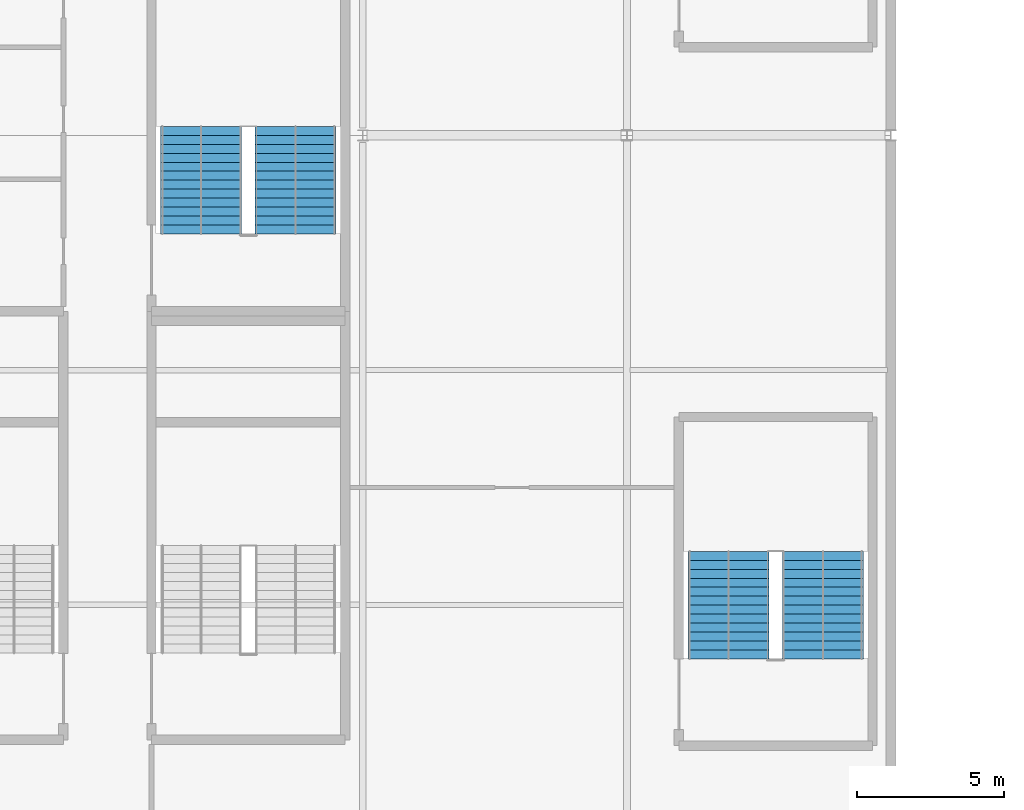
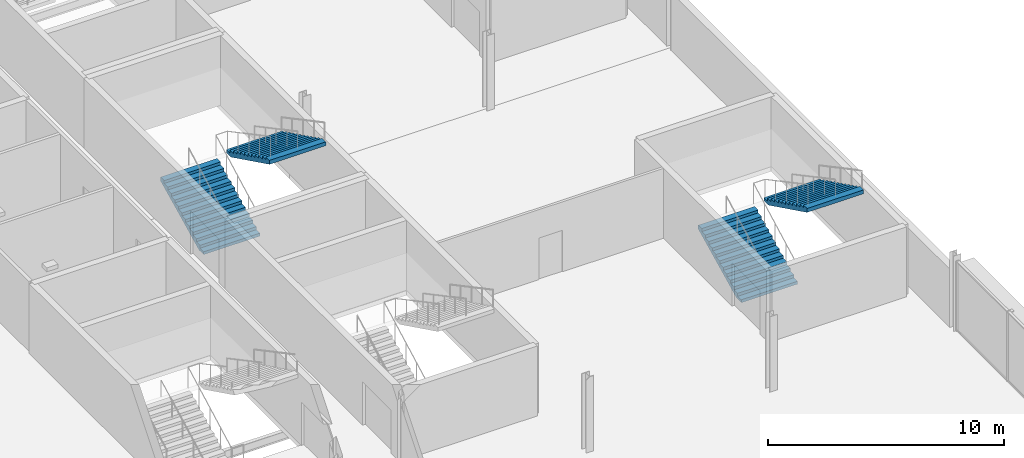
# One storey, part 83 of 98: 4 stair flights, 2 elements without a shape of their own.
"""IFC4 building model written with IfcOpenShell, lengths in metres."""

from ifc_helpers import new_model, si_unit, direction, frame, origin, place, context, subcontext, project, spatial, polygons, material, type_object, element, aggregate, save


model = new_model("IFC4")

# Units and contexts
model_context = context("Model", 3, precision=1e-05, world=origin(), true_north=direction((0.0, 1.0)))
body_context = subcontext(model_context, "Body", "Model", "MODEL_VIEW")
ifc_project = project(units=[si_unit("LENGTHUNIT", "METRE"), si_unit("AREAUNIT", "SQUARE_METRE"), si_unit("VOLUMEUNIT", "CUBIC_METRE"), si_unit("PLANEANGLEUNIT", "RADIAN"), si_unit("MASSUNIT", "GRAM", prefix="KILO")], contexts=[model_context])

# Site, building, storey
site_placement = place(None, origin())
site = spatial("IfcSite", under=ifc_project, at=site_placement, CompositionType="ELEMENT")
building_placement = place(site_placement, origin())
building = spatial("IfcBuilding", under=site, at=building_placement, Name="Kisiwana Market Hall", CompositionType="ELEMENT")
storey_placement = place(building_placement, frame((0.0, 0.0, 29.39990234375)))
storey = spatial("IfcBuildingStorey", under=building, at=storey_placement, Name="L06", CompositionType="ELEMENT", Elevation=29.39990234375)

# Stair, stair flights
ifc_material_1 = material(Name="Concrete C32/40", Category="concrete")
stair_type = type_object("IfcStairType", Name="ST-ESC-3900", PredefinedType="TWO_STRAIGHT_RUN_STAIR", material=ifc_material_1)
stair_1_placement = place(storey_placement, origin())
stair_1 = element("IfcStair", 1, at=stair_1_placement, inside=storey, type_object=stair_type, Name="Escape stair ST-W9-L06", PredefinedType="TWO_STRAIGHT_RUN_STAIR")
ifc_material_2 = material(Name="Concrete C32/40", Category="concrete")
stair_flight_type = type_object("IfcStairFlightType", Name="SF-ESC-3900", PredefinedType="STRAIGHT", material=ifc_material_2)
stair_flight_1_placement = place(storey_placement, frame((39.4599609375, 42.159912109375, 0.0), z_axis=(0.0, 0.0, 1.0), x_axis=(0.0, 1.0, 0.0)))
stair_flight_1 = element("IfcStairFlight", 2, at=stair_flight_1_placement, type_object=stair_flight_type, Name="ST-W9-L06 flight 1", NumberOfRisers=13, NumberOfTreads=12, PredefinedType="STRAIGHT", RiserHeight=0.15, TreadLength=0.305, context=body_context, shape_type="Tessellation", body=[
    polygons([(0.0, -1.380127, 0.0), (0.0, -0.690125, 0.0), (0.0, -0.000122, 0.0), (0.0, 0.68988, 0.0), (0.0, 1.379883, 0.0), (0.0, -1.380127, 0.149902), (0.0, -0.690125, 0.149902), (0.0, -0.000122, 0.149902), (0.0, 0.68988, 0.149902), (0.0, 1.379883, 0.149902), (0.304932, -1.380127, 0.149902), (0.304932, -0.690125, 0.149902), (0.304932, -0.000122, 0.149902), (0.304932, 0.68988, 0.149902), (0.304932, 1.379883, 0.149902), (0.304932, -1.380127, 0.300049), (0.304932, -0.690125, 0.300049), (0.304932, -0.000122, 0.300049), (0.304932, 0.68988, 0.300049), (0.304932, 1.379883, 0.300049), (0.610107, -1.380127, 0.300049), (0.610107, -0.690125, 0.300049), (0.610107, -0.000122, 0.300049), (0.610107, 0.68988, 0.300049), (0.610107, 1.379883, 0.300049), (0.610107, -1.380127, 0.449951), (0.610107, -0.690125, 0.449951), (0.610107, -0.000122, 0.449951), (0.610107, 0.68988, 0.449951), (0.610107, 1.379883, 0.449951), (0.915039, -1.380127, 0.449951), (0.915039, -0.690125, 0.449951), (0.915039, -0.000122, 0.449951), (0.915039, 0.68988, 0.449951), (0.915039, 1.379883, 0.449951), (0.915039, -1.380127, 0.600098), (0.915039, -0.690125, 0.600098), (0.915039, -0.000122, 0.600098), (0.915039, 0.68988, 0.600098), (0.915039, 1.379883, 0.600098), (1.219971, -1.380127, 0.600098), (1.219971, -0.690125, 0.600098), (1.219971, -0.000122, 0.600098), (1.219971, 0.68988, 0.600098), (1.219971, 1.379883, 0.600098), (1.219971, -1.380127, 0.75), (1.219971, -0.690125, 0.75), (1.219971, -0.000122, 0.75), (1.219971, 0.68988, 0.75), (1.219971, 1.379883, 0.75), (1.524902, -1.380127, 0.75), (1.524902, -0.690125, 0.75), (1.524902, -0.000122, 0.75), (1.524902, 0.68988, 0.75), (1.524902, 1.379883, 0.75), (1.524902, -1.380127, 0.899902), (1.524902, -0.690125, 0.899902), (1.524902, -0.000122, 0.899902), (1.524902, 0.68988, 0.899902), (1.524902, 1.379883, 0.899902), (1.830078, -1.380127, 0.899902), (1.830078, -0.690125, 0.899902), (1.830078, -0.000122, 0.899902), (1.830078, 0.68988, 0.899902), (1.830078, 1.379883, 0.899902), (1.830078, -1.380127, 1.050049), (1.830078, -0.690125, 1.050049), (1.830078, -0.000122, 1.050049), (1.830078, 0.68988, 1.050049), (1.830078, 1.379883, 1.050049), (2.13501, -1.380127, 1.050049), (2.13501, -0.690125, 1.050049), (2.13501, -0.000122, 1.050049), (2.13501, 0.68988, 1.050049), (2.13501, 1.379883, 1.050049), (2.13501, -1.380127, 1.199951), (2.13501, -0.690125, 1.199951), (2.13501, -0.000122, 1.199951), (2.13501, 0.68988, 1.199951), (2.13501, 1.379883, 1.199951), (2.439941, -1.380127, 1.199951), (2.439941, -0.690125, 1.199951), (2.439941, -0.000122, 1.199951), (2.439941, 0.68988, 1.199951), (2.439941, 1.379883, 1.199951), (2.439941, -1.380127, 1.350098), (2.439941, -0.690125, 1.350098), (2.439941, -0.000122, 1.350098), (2.439941, 0.68988, 1.350098), (2.439941, 1.379883, 1.350098), (2.745117, -1.380127, 1.350098), (2.745117, -0.690125, 1.350098), (2.745117, -0.000122, 1.350098), (2.745117, 0.68988, 1.350098), (2.745117, 1.379883, 1.350098), (2.745117, -1.380127, 1.5), (2.745117, -0.690125, 1.5), (2.745117, -0.000122, 1.5), (2.745117, 0.68988, 1.5), (2.745117, 1.379883, 1.5), (3.050049, -1.380127, 1.5), (3.050049, -0.690125, 1.5), (3.050049, -0.000122, 1.5), (3.050049, 0.68988, 1.5), (3.050049, 1.379883, 1.5), (3.050049, -1.380127, 1.649902), (3.050049, -0.690125, 1.649902), (3.050049, -0.000122, 1.649902), (3.050049, 0.68988, 1.649902), (3.050049, 1.379883, 1.649902), (3.35498, -1.380127, 1.649902), (3.35498, -0.690125, 1.649902), (3.35498, -0.000122, 1.649902), (3.35498, 0.68988, 1.649902), (3.35498, 1.379883, 1.649902), (3.35498, -1.380127, 1.800049), (3.35498, -0.690125, 1.800049), (3.35498, -0.000122, 1.800049), (3.35498, 0.68988, 1.800049), (3.35498, 1.379883, 1.800049), (3.659912, -1.380127, 1.800049), (3.659912, -0.690125, 1.800049), (3.659912, -0.000122, 1.800049), (3.659912, 0.68988, 1.800049), (3.659912, 1.379883, 1.800049), (3.659912, -1.380127, 1.599365), (3.659912, -0.690125, 1.599365), (3.659912, -0.000122, 1.599365), (3.659912, 0.68988, 1.599365), (3.659912, 1.379883, 1.599365), (0.407715, -1.380127, 0.0), (0.407715, -0.690125, 0.0), (0.407715, -0.000122, 0.0), (0.407715, 0.68988, 0.0), (0.407715, 1.379883, 0.0)], [[[1, 6, 7, 2]], [[2, 7, 8, 3]], [[3, 8, 9, 4]], [[4, 9, 10, 5]], [[6, 11, 12, 7]], [[7, 12, 13, 8]], [[8, 13, 14, 9]], [[9, 14, 15, 10]], [[11, 16, 17, 12]], [[12, 17, 18, 13]], [[13, 18, 19, 14]], [[14, 19, 20, 15]], [[16, 21, 22, 17]], [[17, 22, 23, 18]], [[18, 23, 24, 19]], [[19, 24, 25, 20]], [[21, 26, 27, 22]], [[22, 27, 28, 23]], [[23, 28, 29, 24]], [[24, 29, 30, 25]], [[26, 31, 32, 27]], [[27, 32, 33, 28]], [[28, 33, 34, 29]], [[29, 34, 35, 30]], [[31, 36, 37, 32]], [[32, 37, 38, 33]], [[33, 38, 39, 34]], [[34, 39, 40, 35]], [[36, 41, 42, 37]], [[37, 42, 43, 38]], [[38, 43, 44, 39]], [[39, 44, 45, 40]], [[41, 46, 47, 42]], [[42, 47, 48, 43]], [[43, 48, 49, 44]], [[44, 49, 50, 45]], [[46, 51, 52, 47]], [[47, 52, 53, 48]], [[48, 53, 54, 49]], [[49, 54, 55, 50]], [[51, 56, 57, 52]], [[52, 57, 58, 53]], [[53, 58, 59, 54]], [[54, 59, 60, 55]], [[56, 61, 62, 57]], [[57, 62, 63, 58]], [[58, 63, 64, 59]], [[59, 64, 65, 60]], [[61, 66, 67, 62]], [[62, 67, 68, 63]], [[63, 68, 69, 64]], [[64, 69, 70, 65]], [[66, 71, 72, 67]], [[67, 72, 73, 68]], [[68, 73, 74, 69]], [[69, 74, 75, 70]], [[71, 76, 77, 72]], [[72, 77, 78, 73]], [[73, 78, 79, 74]], [[74, 79, 80, 75]], [[76, 81, 82, 77]], [[77, 82, 83, 78]], [[78, 83, 84, 79]], [[79, 84, 85, 80]], [[81, 86, 87, 82]], [[82, 87, 88, 83]], [[83, 88, 89, 84]], [[84, 89, 90, 85]], [[86, 91, 92, 87]], [[87, 92, 93, 88]], [[88, 93, 94, 89]], [[89, 94, 95, 90]], [[91, 96, 97, 92]], [[92, 97, 98, 93]], [[93, 98, 99, 94]], [[94, 99, 100, 95]], [[96, 101, 102, 97]], [[97, 102, 103, 98]], [[98, 103, 104, 99]], [[99, 104, 105, 100]], [[101, 106, 107, 102]], [[102, 107, 108, 103]], [[103, 108, 109, 104]], [[104, 109, 110, 105]], [[106, 111, 112, 107]], [[107, 112, 113, 108]], [[108, 113, 114, 109]], [[109, 114, 115, 110]], [[111, 116, 117, 112]], [[112, 117, 118, 113]], [[113, 118, 119, 114]], [[114, 119, 120, 115]], [[116, 121, 122, 117]], [[117, 122, 123, 118]], [[118, 123, 124, 119]], [[119, 124, 125, 120]], [[121, 126, 127, 122]], [[122, 127, 128, 123]], [[123, 128, 129, 124]], [[124, 129, 130, 125]], [[126, 131, 132, 127]], [[127, 132, 133, 128]], [[128, 133, 134, 129]], [[129, 134, 135, 130]], [[131, 1, 2, 132]], [[132, 2, 3, 133]], [[133, 3, 4, 134]], [[134, 4, 5, 135]], [[131, 126, 121, 116, 111, 106, 101, 96, 91, 86, 81, 76, 71, 66, 61, 56, 51, 46, 41, 36, 31, 26, 21, 16, 11, 6, 1]], [[5, 10, 15, 20, 25, 30, 35, 40, 45, 50, 55, 60, 65, 70, 75, 80, 85, 90, 95, 100, 105, 110, 115, 120, 125, 130, 135]]], closed=True),
])
stair_flight_2_placement = place(storey_placement, frame((42.679931640625, 45.820068359375, 1.9501953125), z_axis=(0.0, 0.0, 1.0), x_axis=(0.0, -1.0, 0.0)))
stair_flight_2 = element("IfcStairFlight", 3, at=stair_flight_2_placement, type_object=stair_flight_type, Name="ST-W9-L06 flight 2", NumberOfRisers=13, NumberOfTreads=12, PredefinedType="STRAIGHT", RiserHeight=0.15, TreadLength=0.305, context=body_context, shape_type="Tessellation", body=[
    polygons([(0.0, -1.380127, 0.0), (0.0, -0.690125, 0.0), (0.0, -0.000122, 0.0), (0.0, 0.68988, 0.0), (0.0, 1.379883, 0.0), (0.0, -1.380127, 0.149902), (0.0, -0.690125, 0.149902), (0.0, -0.000122, 0.149902), (0.0, 0.68988, 0.149902), (0.0, 1.379883, 0.149902), (0.304932, -1.380127, 0.149902), (0.304932, -0.690125, 0.149902), (0.304932, -0.000122, 0.149902), (0.304932, 0.68988, 0.149902), (0.304932, 1.379883, 0.149902), (0.304932, -1.380127, 0.300049), (0.304932, -0.690125, 0.300049), (0.304932, -0.000122, 0.300049), (0.304932, 0.68988, 0.300049), (0.304932, 1.379883, 0.300049), (0.610107, -1.380127, 0.300049), (0.610107, -0.690125, 0.300049), (0.610107, -0.000122, 0.300049), (0.610107, 0.68988, 0.300049), (0.610107, 1.379883, 0.300049), (0.610107, -1.380127, 0.449951), (0.610107, -0.690125, 0.449951), (0.610107, -0.000122, 0.449951), (0.610107, 0.68988, 0.449951), (0.610107, 1.379883, 0.449951), (0.915039, -1.380127, 0.449951), (0.915039, -0.690125, 0.449951), (0.915039, -0.000122, 0.449951), (0.915039, 0.68988, 0.449951), (0.915039, 1.379883, 0.449951), (0.915039, -1.380127, 0.600098), (0.915039, -0.690125, 0.600098), (0.915039, -0.000122, 0.600098), (0.915039, 0.68988, 0.600098), (0.915039, 1.379883, 0.600098), (1.219971, -1.380127, 0.600098), (1.219971, -0.690125, 0.600098), (1.219971, -0.000122, 0.600098), (1.219971, 0.68988, 0.600098), (1.219971, 1.379883, 0.600098), (1.219971, -1.380127, 0.75), (1.219971, -0.690125, 0.75), (1.219971, -0.000122, 0.75), (1.219971, 0.68988, 0.75), (1.219971, 1.379883, 0.75), (1.524902, -1.380127, 0.75), (1.524902, -0.690125, 0.75), (1.524902, -0.000122, 0.75), (1.524902, 0.68988, 0.75), (1.524902, 1.379883, 0.75), (1.524902, -1.380127, 0.899902), (1.524902, -0.690125, 0.899902), (1.524902, -0.000122, 0.899902), (1.524902, 0.68988, 0.899902), (1.524902, 1.379883, 0.899902), (1.830078, -1.380127, 0.899902), (1.830078, -0.690125, 0.899902), (1.830078, -0.000122, 0.899902), (1.830078, 0.68988, 0.899902), (1.830078, 1.379883, 0.899902), (1.830078, -1.380127, 1.050049), (1.830078, -0.690125, 1.050049), (1.830078, -0.000122, 1.050049), (1.830078, 0.68988, 1.050049), (1.830078, 1.379883, 1.050049), (2.13501, -1.380127, 1.050049), (2.13501, -0.690125, 1.050049), (2.13501, -0.000122, 1.050049), (2.13501, 0.68988, 1.050049), (2.13501, 1.379883, 1.050049), (2.13501, -1.380127, 1.199951), (2.13501, -0.690125, 1.199951), (2.13501, -0.000122, 1.199951), (2.13501, 0.68988, 1.199951), (2.13501, 1.379883, 1.199951), (2.439941, -1.380127, 1.199951), (2.439941, -0.690125, 1.199951), (2.439941, -0.000122, 1.199951), (2.439941, 0.68988, 1.199951), (2.439941, 1.379883, 1.199951), (2.439941, -1.380127, 1.350098), (2.439941, -0.690125, 1.350098), (2.439941, -0.000122, 1.350098), (2.439941, 0.68988, 1.350098), (2.439941, 1.379883, 1.350098), (2.745117, -1.380127, 1.350098), (2.745117, -0.690125, 1.350098), (2.745117, -0.000122, 1.350098), (2.745117, 0.68988, 1.350098), (2.745117, 1.379883, 1.350098), (2.745117, -1.380127, 1.5), (2.745117, -0.690125, 1.5), (2.745117, -0.000122, 1.5), (2.745117, 0.68988, 1.5), (2.745117, 1.379883, 1.5), (3.050049, -1.380127, 1.5), (3.050049, -0.690125, 1.5), (3.050049, -0.000122, 1.5), (3.050049, 0.68988, 1.5), (3.050049, 1.379883, 1.5), (3.050049, -1.380127, 1.649902), (3.050049, -0.690125, 1.649902), (3.050049, -0.000122, 1.649902), (3.050049, 0.68988, 1.649902), (3.050049, 1.379883, 1.649902), (3.35498, -1.380127, 1.649902), (3.35498, -0.690125, 1.649902), (3.35498, -0.000122, 1.649902), (3.35498, 0.68988, 1.649902), (3.35498, 1.379883, 1.649902), (3.35498, -1.380127, 1.800049), (3.35498, -0.690125, 1.800049), (3.35498, -0.000122, 1.800049), (3.35498, 0.68988, 1.800049), (3.35498, 1.379883, 1.800049), (3.659912, -1.380127, 1.800049), (3.659912, -0.690125, 1.800049), (3.659912, -0.000122, 1.800049), (3.659912, 0.68988, 1.800049), (3.659912, 1.379883, 1.800049), (3.659912, -1.380127, 1.599365), (3.659912, -0.690125, 1.599365), (3.659912, -0.000122, 1.599365), (3.659912, 0.68988, 1.599365), (3.659912, 1.379883, 1.599365), (0.407715, -1.380127, 0.0), (0.407715, -0.690125, 0.0), (0.407715, -0.000122, 0.0), (0.407715, 0.68988, 0.0), (0.407715, 1.379883, 0.0)], [[[1, 6, 7, 2]], [[2, 7, 8, 3]], [[3, 8, 9, 4]], [[4, 9, 10, 5]], [[6, 11, 12, 7]], [[7, 12, 13, 8]], [[8, 13, 14, 9]], [[9, 14, 15, 10]], [[11, 16, 17, 12]], [[12, 17, 18, 13]], [[13, 18, 19, 14]], [[14, 19, 20, 15]], [[16, 21, 22, 17]], [[17, 22, 23, 18]], [[18, 23, 24, 19]], [[19, 24, 25, 20]], [[21, 26, 27, 22]], [[22, 27, 28, 23]], [[23, 28, 29, 24]], [[24, 29, 30, 25]], [[26, 31, 32, 27]], [[27, 32, 33, 28]], [[28, 33, 34, 29]], [[29, 34, 35, 30]], [[31, 36, 37, 32]], [[32, 37, 38, 33]], [[33, 38, 39, 34]], [[34, 39, 40, 35]], [[36, 41, 42, 37]], [[37, 42, 43, 38]], [[38, 43, 44, 39]], [[39, 44, 45, 40]], [[41, 46, 47, 42]], [[42, 47, 48, 43]], [[43, 48, 49, 44]], [[44, 49, 50, 45]], [[46, 51, 52, 47]], [[47, 52, 53, 48]], [[48, 53, 54, 49]], [[49, 54, 55, 50]], [[51, 56, 57, 52]], [[52, 57, 58, 53]], [[53, 58, 59, 54]], [[54, 59, 60, 55]], [[56, 61, 62, 57]], [[57, 62, 63, 58]], [[58, 63, 64, 59]], [[59, 64, 65, 60]], [[61, 66, 67, 62]], [[62, 67, 68, 63]], [[63, 68, 69, 64]], [[64, 69, 70, 65]], [[66, 71, 72, 67]], [[67, 72, 73, 68]], [[68, 73, 74, 69]], [[69, 74, 75, 70]], [[71, 76, 77, 72]], [[72, 77, 78, 73]], [[73, 78, 79, 74]], [[74, 79, 80, 75]], [[76, 81, 82, 77]], [[77, 82, 83, 78]], [[78, 83, 84, 79]], [[79, 84, 85, 80]], [[81, 86, 87, 82]], [[82, 87, 88, 83]], [[83, 88, 89, 84]], [[84, 89, 90, 85]], [[86, 91, 92, 87]], [[87, 92, 93, 88]], [[88, 93, 94, 89]], [[89, 94, 95, 90]], [[91, 96, 97, 92]], [[92, 97, 98, 93]], [[93, 98, 99, 94]], [[94, 99, 100, 95]], [[96, 101, 102, 97]], [[97, 102, 103, 98]], [[98, 103, 104, 99]], [[99, 104, 105, 100]], [[101, 106, 107, 102]], [[102, 107, 108, 103]], [[103, 108, 109, 104]], [[104, 109, 110, 105]], [[106, 111, 112, 107]], [[107, 112, 113, 108]], [[108, 113, 114, 109]], [[109, 114, 115, 110]], [[111, 116, 117, 112]], [[112, 117, 118, 113]], [[113, 118, 119, 114]], [[114, 119, 120, 115]], [[116, 121, 122, 117]], [[117, 122, 123, 118]], [[118, 123, 124, 119]], [[119, 124, 125, 120]], [[121, 126, 127, 122]], [[122, 127, 128, 123]], [[123, 128, 129, 124]], [[124, 129, 130, 125]], [[126, 131, 132, 127]], [[127, 132, 133, 128]], [[128, 133, 134, 129]], [[129, 134, 135, 130]], [[131, 1, 2, 132]], [[132, 2, 3, 133]], [[133, 3, 4, 134]], [[134, 4, 5, 135]], [[131, 126, 121, 116, 111, 106, 101, 96, 91, 86, 81, 76, 71, 66, 61, 56, 51, 46, 41, 36, 31, 26, 21, 16, 11, 6, 1]], [[5, 10, 15, 20, 25, 30, 35, 40, 45, 50, 55, 60, 65, 70, 75, 80, 85, 90, 95, 100, 105, 110, 115, 120, 125, 130, 135]]], closed=True),
])
aggregate(stair_1, [stair_flight_1, stair_flight_2])

stair_2_placement = place(storey_placement, origin())
stair_2 = element("IfcStair", 4, at=stair_2_placement, inside=storey, type_object=stair_type, Name="Escape stair ST-W5-L06", PredefinedType="TWO_STRAIGHT_RUN_STAIR")
stair_flight_3_placement = place(storey_placement, frame((21.489990234375, 56.639892578125, 0.0), z_axis=(0.0, 0.0, 1.0), x_axis=(0.0, 1.0, 0.0)))
stair_flight_3 = element("IfcStairFlight", 5, at=stair_flight_3_placement, type_object=stair_flight_type, Name="ST-W5-L06 flight 1", NumberOfRisers=13, NumberOfTreads=12, PredefinedType="STRAIGHT", RiserHeight=0.15, TreadLength=0.305, context=body_context, shape_type="Tessellation", body=[
    polygons([(0.0, -1.380127, 0.0), (0.0, -0.690125, 0.0), (0.0, -0.000122, 0.0), (0.0, 0.68988, 0.0), (0.0, 1.379883, 0.0), (0.0, -1.380127, 0.149902), (0.0, -0.690125, 0.149902), (0.0, -0.000122, 0.149902), (0.0, 0.68988, 0.149902), (0.0, 1.379883, 0.149902), (0.304932, -1.380127, 0.149902), (0.304932, -0.690125, 0.149902), (0.304932, -0.000122, 0.149902), (0.304932, 0.68988, 0.149902), (0.304932, 1.379883, 0.149902), (0.304932, -1.380127, 0.300049), (0.304932, -0.690125, 0.300049), (0.304932, -0.000122, 0.300049), (0.304932, 0.68988, 0.300049), (0.304932, 1.379883, 0.300049), (0.610107, -1.380127, 0.300049), (0.610107, -0.690125, 0.300049), (0.610107, -0.000122, 0.300049), (0.610107, 0.68988, 0.300049), (0.610107, 1.379883, 0.300049), (0.610107, -1.380127, 0.449951), (0.610107, -0.690125, 0.449951), (0.610107, -0.000122, 0.449951), (0.610107, 0.68988, 0.449951), (0.610107, 1.379883, 0.449951), (0.915039, -1.380127, 0.449951), (0.915039, -0.690125, 0.449951), (0.915039, -0.000122, 0.449951), (0.915039, 0.68988, 0.449951), (0.915039, 1.379883, 0.449951), (0.915039, -1.380127, 0.600098), (0.915039, -0.690125, 0.600098), (0.915039, -0.000122, 0.600098), (0.915039, 0.68988, 0.600098), (0.915039, 1.379883, 0.600098), (1.219971, -1.380127, 0.600098), (1.219971, -0.690125, 0.600098), (1.219971, -0.000122, 0.600098), (1.219971, 0.68988, 0.600098), (1.219971, 1.379883, 0.600098), (1.219971, -1.380127, 0.75), (1.219971, -0.690125, 0.75), (1.219971, -0.000122, 0.75), (1.219971, 0.68988, 0.75), (1.219971, 1.379883, 0.75), (1.524902, -1.380127, 0.75), (1.524902, -0.690125, 0.75), (1.524902, -0.000122, 0.75), (1.524902, 0.68988, 0.75), (1.524902, 1.379883, 0.75), (1.524902, -1.380127, 0.899902), (1.524902, -0.690125, 0.899902), (1.524902, -0.000122, 0.899902), (1.524902, 0.68988, 0.899902), (1.524902, 1.379883, 0.899902), (1.830078, -1.380127, 0.899902), (1.830078, -0.690125, 0.899902), (1.830078, -0.000122, 0.899902), (1.830078, 0.68988, 0.899902), (1.830078, 1.379883, 0.899902), (1.830078, -1.380127, 1.050049), (1.830078, -0.690125, 1.050049), (1.830078, -0.000122, 1.050049), (1.830078, 0.68988, 1.050049), (1.830078, 1.379883, 1.050049), (2.13501, -1.380127, 1.050049), (2.13501, -0.690125, 1.050049), (2.13501, -0.000122, 1.050049), (2.13501, 0.68988, 1.050049), (2.13501, 1.379883, 1.050049), (2.13501, -1.380127, 1.199951), (2.13501, -0.690125, 1.199951), (2.13501, -0.000122, 1.199951), (2.13501, 0.68988, 1.199951), (2.13501, 1.379883, 1.199951), (2.439941, -1.380127, 1.199951), (2.439941, -0.690125, 1.199951), (2.439941, -0.000122, 1.199951), (2.439941, 0.68988, 1.199951), (2.439941, 1.379883, 1.199951), (2.439941, -1.380127, 1.350098), (2.439941, -0.690125, 1.350098), (2.439941, -0.000122, 1.350098), (2.439941, 0.68988, 1.350098), (2.439941, 1.379883, 1.350098), (2.745117, -1.380127, 1.350098), (2.745117, -0.690125, 1.350098), (2.745117, -0.000122, 1.350098), (2.745117, 0.68988, 1.350098), (2.745117, 1.379883, 1.350098), (2.745117, -1.380127, 1.5), (2.745117, -0.690125, 1.5), (2.745117, -0.000122, 1.5), (2.745117, 0.68988, 1.5), (2.745117, 1.379883, 1.5), (3.050049, -1.380127, 1.5), (3.050049, -0.690125, 1.5), (3.050049, -0.000122, 1.5), (3.050049, 0.68988, 1.5), (3.050049, 1.379883, 1.5), (3.050049, -1.380127, 1.649902), (3.050049, -0.690125, 1.649902), (3.050049, -0.000122, 1.649902), (3.050049, 0.68988, 1.649902), (3.050049, 1.379883, 1.649902), (3.35498, -1.380127, 1.649902), (3.35498, -0.690125, 1.649902), (3.35498, -0.000122, 1.649902), (3.35498, 0.68988, 1.649902), (3.35498, 1.379883, 1.649902), (3.35498, -1.380127, 1.800049), (3.35498, -0.690125, 1.800049), (3.35498, -0.000122, 1.800049), (3.35498, 0.68988, 1.800049), (3.35498, 1.379883, 1.800049), (3.659912, -1.380127, 1.800049), (3.659912, -0.690125, 1.800049), (3.659912, -0.000122, 1.800049), (3.659912, 0.68988, 1.800049), (3.659912, 1.379883, 1.800049), (3.659912, -1.380127, 1.599365), (3.659912, -0.690125, 1.599365), (3.659912, -0.000122, 1.599365), (3.659912, 0.68988, 1.599365), (3.659912, 1.379883, 1.599365), (0.407715, -1.380127, 0.0), (0.407715, -0.690125, 0.0), (0.407715, -0.000122, 0.0), (0.407715, 0.68988, 0.0), (0.407715, 1.379883, 0.0)], [[[1, 6, 7, 2]], [[2, 7, 8, 3]], [[3, 8, 9, 4]], [[4, 9, 10, 5]], [[6, 11, 12, 7]], [[7, 12, 13, 8]], [[8, 13, 14, 9]], [[9, 14, 15, 10]], [[11, 16, 17, 12]], [[12, 17, 18, 13]], [[13, 18, 19, 14]], [[14, 19, 20, 15]], [[16, 21, 22, 17]], [[17, 22, 23, 18]], [[18, 23, 24, 19]], [[19, 24, 25, 20]], [[21, 26, 27, 22]], [[22, 27, 28, 23]], [[23, 28, 29, 24]], [[24, 29, 30, 25]], [[26, 31, 32, 27]], [[27, 32, 33, 28]], [[28, 33, 34, 29]], [[29, 34, 35, 30]], [[31, 36, 37, 32]], [[32, 37, 38, 33]], [[33, 38, 39, 34]], [[34, 39, 40, 35]], [[36, 41, 42, 37]], [[37, 42, 43, 38]], [[38, 43, 44, 39]], [[39, 44, 45, 40]], [[41, 46, 47, 42]], [[42, 47, 48, 43]], [[43, 48, 49, 44]], [[44, 49, 50, 45]], [[46, 51, 52, 47]], [[47, 52, 53, 48]], [[48, 53, 54, 49]], [[49, 54, 55, 50]], [[51, 56, 57, 52]], [[52, 57, 58, 53]], [[53, 58, 59, 54]], [[54, 59, 60, 55]], [[56, 61, 62, 57]], [[57, 62, 63, 58]], [[58, 63, 64, 59]], [[59, 64, 65, 60]], [[61, 66, 67, 62]], [[62, 67, 68, 63]], [[63, 68, 69, 64]], [[64, 69, 70, 65]], [[66, 71, 72, 67]], [[67, 72, 73, 68]], [[68, 73, 74, 69]], [[69, 74, 75, 70]], [[71, 76, 77, 72]], [[72, 77, 78, 73]], [[73, 78, 79, 74]], [[74, 79, 80, 75]], [[76, 81, 82, 77]], [[77, 82, 83, 78]], [[78, 83, 84, 79]], [[79, 84, 85, 80]], [[81, 86, 87, 82]], [[82, 87, 88, 83]], [[83, 88, 89, 84]], [[84, 89, 90, 85]], [[86, 91, 92, 87]], [[87, 92, 93, 88]], [[88, 93, 94, 89]], [[89, 94, 95, 90]], [[91, 96, 97, 92]], [[92, 97, 98, 93]], [[93, 98, 99, 94]], [[94, 99, 100, 95]], [[96, 101, 102, 97]], [[97, 102, 103, 98]], [[98, 103, 104, 99]], [[99, 104, 105, 100]], [[101, 106, 107, 102]], [[102, 107, 108, 103]], [[103, 108, 109, 104]], [[104, 109, 110, 105]], [[106, 111, 112, 107]], [[107, 112, 113, 108]], [[108, 113, 114, 109]], [[109, 114, 115, 110]], [[111, 116, 117, 112]], [[112, 117, 118, 113]], [[113, 118, 119, 114]], [[114, 119, 120, 115]], [[116, 121, 122, 117]], [[117, 122, 123, 118]], [[118, 123, 124, 119]], [[119, 124, 125, 120]], [[121, 126, 127, 122]], [[122, 127, 128, 123]], [[123, 128, 129, 124]], [[124, 129, 130, 125]], [[126, 131, 132, 127]], [[127, 132, 133, 128]], [[128, 133, 134, 129]], [[129, 134, 135, 130]], [[131, 1, 2, 132]], [[132, 2, 3, 133]], [[133, 3, 4, 134]], [[134, 4, 5, 135]], [[131, 126, 121, 116, 111, 106, 101, 96, 91, 86, 81, 76, 71, 66, 61, 56, 51, 46, 41, 36, 31, 26, 21, 16, 11, 6, 1]], [[5, 10, 15, 20, 25, 30, 35, 40, 45, 50, 55, 60, 65, 70, 75, 80, 85, 90, 95, 100, 105, 110, 115, 120, 125, 130, 135]]], closed=True),
])
stair_flight_4_placement = place(storey_placement, frame((24.7099609375, 60.300048828125, 1.9501953125), z_axis=(0.0, 0.0, 1.0), x_axis=(0.0, -1.0, 0.0)))
stair_flight_4 = element("IfcStairFlight", 6, at=stair_flight_4_placement, type_object=stair_flight_type, Name="ST-W5-L06 flight 2", NumberOfRisers=13, NumberOfTreads=12, PredefinedType="STRAIGHT", RiserHeight=0.15, TreadLength=0.305, context=body_context, shape_type="Tessellation", body=[
    polygons([(0.0, -1.380127, 0.0), (0.0, -0.690125, 0.0), (0.0, -0.000122, 0.0), (0.0, 0.68988, 0.0), (0.0, 1.379883, 0.0), (0.0, -1.380127, 0.149902), (0.0, -0.690125, 0.149902), (0.0, -0.000122, 0.149902), (0.0, 0.68988, 0.149902), (0.0, 1.379883, 0.149902), (0.304932, -1.380127, 0.149902), (0.304932, -0.690125, 0.149902), (0.304932, -0.000122, 0.149902), (0.304932, 0.68988, 0.149902), (0.304932, 1.379883, 0.149902), (0.304932, -1.380127, 0.300049), (0.304932, -0.690125, 0.300049), (0.304932, -0.000122, 0.300049), (0.304932, 0.68988, 0.300049), (0.304932, 1.379883, 0.300049), (0.610107, -1.380127, 0.300049), (0.610107, -0.690125, 0.300049), (0.610107, -0.000122, 0.300049), (0.610107, 0.68988, 0.300049), (0.610107, 1.379883, 0.300049), (0.610107, -1.380127, 0.449951), (0.610107, -0.690125, 0.449951), (0.610107, -0.000122, 0.449951), (0.610107, 0.68988, 0.449951), (0.610107, 1.379883, 0.449951), (0.915039, -1.380127, 0.449951), (0.915039, -0.690125, 0.449951), (0.915039, -0.000122, 0.449951), (0.915039, 0.68988, 0.449951), (0.915039, 1.379883, 0.449951), (0.915039, -1.380127, 0.600098), (0.915039, -0.690125, 0.600098), (0.915039, -0.000122, 0.600098), (0.915039, 0.68988, 0.600098), (0.915039, 1.379883, 0.600098), (1.219971, -1.380127, 0.600098), (1.219971, -0.690125, 0.600098), (1.219971, -0.000122, 0.600098), (1.219971, 0.68988, 0.600098), (1.219971, 1.379883, 0.600098), (1.219971, -1.380127, 0.75), (1.219971, -0.690125, 0.75), (1.219971, -0.000122, 0.75), (1.219971, 0.68988, 0.75), (1.219971, 1.379883, 0.75), (1.524902, -1.380127, 0.75), (1.524902, -0.690125, 0.75), (1.524902, -0.000122, 0.75), (1.524902, 0.68988, 0.75), (1.524902, 1.379883, 0.75), (1.524902, -1.380127, 0.899902), (1.524902, -0.690125, 0.899902), (1.524902, -0.000122, 0.899902), (1.524902, 0.68988, 0.899902), (1.524902, 1.379883, 0.899902), (1.830078, -1.380127, 0.899902), (1.830078, -0.690125, 0.899902), (1.830078, -0.000122, 0.899902), (1.830078, 0.68988, 0.899902), (1.830078, 1.379883, 0.899902), (1.830078, -1.380127, 1.050049), (1.830078, -0.690125, 1.050049), (1.830078, -0.000122, 1.050049), (1.830078, 0.68988, 1.050049), (1.830078, 1.379883, 1.050049), (2.13501, -1.380127, 1.050049), (2.13501, -0.690125, 1.050049), (2.13501, -0.000122, 1.050049), (2.13501, 0.68988, 1.050049), (2.13501, 1.379883, 1.050049), (2.13501, -1.380127, 1.199951), (2.13501, -0.690125, 1.199951), (2.13501, -0.000122, 1.199951), (2.13501, 0.68988, 1.199951), (2.13501, 1.379883, 1.199951), (2.439941, -1.380127, 1.199951), (2.439941, -0.690125, 1.199951), (2.439941, -0.000122, 1.199951), (2.439941, 0.68988, 1.199951), (2.439941, 1.379883, 1.199951), (2.439941, -1.380127, 1.350098), (2.439941, -0.690125, 1.350098), (2.439941, -0.000122, 1.350098), (2.439941, 0.68988, 1.350098), (2.439941, 1.379883, 1.350098), (2.745117, -1.380127, 1.350098), (2.745117, -0.690125, 1.350098), (2.745117, -0.000122, 1.350098), (2.745117, 0.68988, 1.350098), (2.745117, 1.379883, 1.350098), (2.745117, -1.380127, 1.5), (2.745117, -0.690125, 1.5), (2.745117, -0.000122, 1.5), (2.745117, 0.68988, 1.5), (2.745117, 1.379883, 1.5), (3.050049, -1.380127, 1.5), (3.050049, -0.690125, 1.5), (3.050049, -0.000122, 1.5), (3.050049, 0.68988, 1.5), (3.050049, 1.379883, 1.5), (3.050049, -1.380127, 1.649902), (3.050049, -0.690125, 1.649902), (3.050049, -0.000122, 1.649902), (3.050049, 0.68988, 1.649902), (3.050049, 1.379883, 1.649902), (3.35498, -1.380127, 1.649902), (3.35498, -0.690125, 1.649902), (3.35498, -0.000122, 1.649902), (3.35498, 0.68988, 1.649902), (3.35498, 1.379883, 1.649902), (3.35498, -1.380127, 1.800049), (3.35498, -0.690125, 1.800049), (3.35498, -0.000122, 1.800049), (3.35498, 0.68988, 1.800049), (3.35498, 1.379883, 1.800049), (3.659912, -1.380127, 1.800049), (3.659912, -0.690125, 1.800049), (3.659912, -0.000122, 1.800049), (3.659912, 0.68988, 1.800049), (3.659912, 1.379883, 1.800049), (3.659912, -1.380127, 1.599365), (3.659912, -0.690125, 1.599365), (3.659912, -0.000122, 1.599365), (3.659912, 0.68988, 1.599365), (3.659912, 1.379883, 1.599365), (0.407715, -1.380127, 0.0), (0.407715, -0.690125, 0.0), (0.407715, -0.000122, 0.0), (0.407715, 0.68988, 0.0), (0.407715, 1.379883, 0.0)], [[[1, 6, 7, 2]], [[2, 7, 8, 3]], [[3, 8, 9, 4]], [[4, 9, 10, 5]], [[6, 11, 12, 7]], [[7, 12, 13, 8]], [[8, 13, 14, 9]], [[9, 14, 15, 10]], [[11, 16, 17, 12]], [[12, 17, 18, 13]], [[13, 18, 19, 14]], [[14, 19, 20, 15]], [[16, 21, 22, 17]], [[17, 22, 23, 18]], [[18, 23, 24, 19]], [[19, 24, 25, 20]], [[21, 26, 27, 22]], [[22, 27, 28, 23]], [[23, 28, 29, 24]], [[24, 29, 30, 25]], [[26, 31, 32, 27]], [[27, 32, 33, 28]], [[28, 33, 34, 29]], [[29, 34, 35, 30]], [[31, 36, 37, 32]], [[32, 37, 38, 33]], [[33, 38, 39, 34]], [[34, 39, 40, 35]], [[36, 41, 42, 37]], [[37, 42, 43, 38]], [[38, 43, 44, 39]], [[39, 44, 45, 40]], [[41, 46, 47, 42]], [[42, 47, 48, 43]], [[43, 48, 49, 44]], [[44, 49, 50, 45]], [[46, 51, 52, 47]], [[47, 52, 53, 48]], [[48, 53, 54, 49]], [[49, 54, 55, 50]], [[51, 56, 57, 52]], [[52, 57, 58, 53]], [[53, 58, 59, 54]], [[54, 59, 60, 55]], [[56, 61, 62, 57]], [[57, 62, 63, 58]], [[58, 63, 64, 59]], [[59, 64, 65, 60]], [[61, 66, 67, 62]], [[62, 67, 68, 63]], [[63, 68, 69, 64]], [[64, 69, 70, 65]], [[66, 71, 72, 67]], [[67, 72, 73, 68]], [[68, 73, 74, 69]], [[69, 74, 75, 70]], [[71, 76, 77, 72]], [[72, 77, 78, 73]], [[73, 78, 79, 74]], [[74, 79, 80, 75]], [[76, 81, 82, 77]], [[77, 82, 83, 78]], [[78, 83, 84, 79]], [[79, 84, 85, 80]], [[81, 86, 87, 82]], [[82, 87, 88, 83]], [[83, 88, 89, 84]], [[84, 89, 90, 85]], [[86, 91, 92, 87]], [[87, 92, 93, 88]], [[88, 93, 94, 89]], [[89, 94, 95, 90]], [[91, 96, 97, 92]], [[92, 97, 98, 93]], [[93, 98, 99, 94]], [[94, 99, 100, 95]], [[96, 101, 102, 97]], [[97, 102, 103, 98]], [[98, 103, 104, 99]], [[99, 104, 105, 100]], [[101, 106, 107, 102]], [[102, 107, 108, 103]], [[103, 108, 109, 104]], [[104, 109, 110, 105]], [[106, 111, 112, 107]], [[107, 112, 113, 108]], [[108, 113, 114, 109]], [[109, 114, 115, 110]], [[111, 116, 117, 112]], [[112, 117, 118, 113]], [[113, 118, 119, 114]], [[114, 119, 120, 115]], [[116, 121, 122, 117]], [[117, 122, 123, 118]], [[118, 123, 124, 119]], [[119, 124, 125, 120]], [[121, 126, 127, 122]], [[122, 127, 128, 123]], [[123, 128, 129, 124]], [[124, 129, 130, 125]], [[126, 131, 132, 127]], [[127, 132, 133, 128]], [[128, 133, 134, 129]], [[129, 134, 135, 130]], [[131, 1, 2, 132]], [[132, 2, 3, 133]], [[133, 3, 4, 134]], [[134, 4, 5, 135]], [[131, 126, 121, 116, 111, 106, 101, 96, 91, 86, 81, 76, 71, 66, 61, 56, 51, 46, 41, 36, 31, 26, 21, 16, 11, 6, 1]], [[5, 10, 15, 20, 25, 30, 35, 40, 45, 50, 55, 60, 65, 70, 75, 80, 85, 90, 95, 100, 105, 110, 115, 120, 125, 130, 135]]], closed=True),
])
aggregate(stair_2, [stair_flight_3, stair_flight_4])

save(model, "model.ifc")
